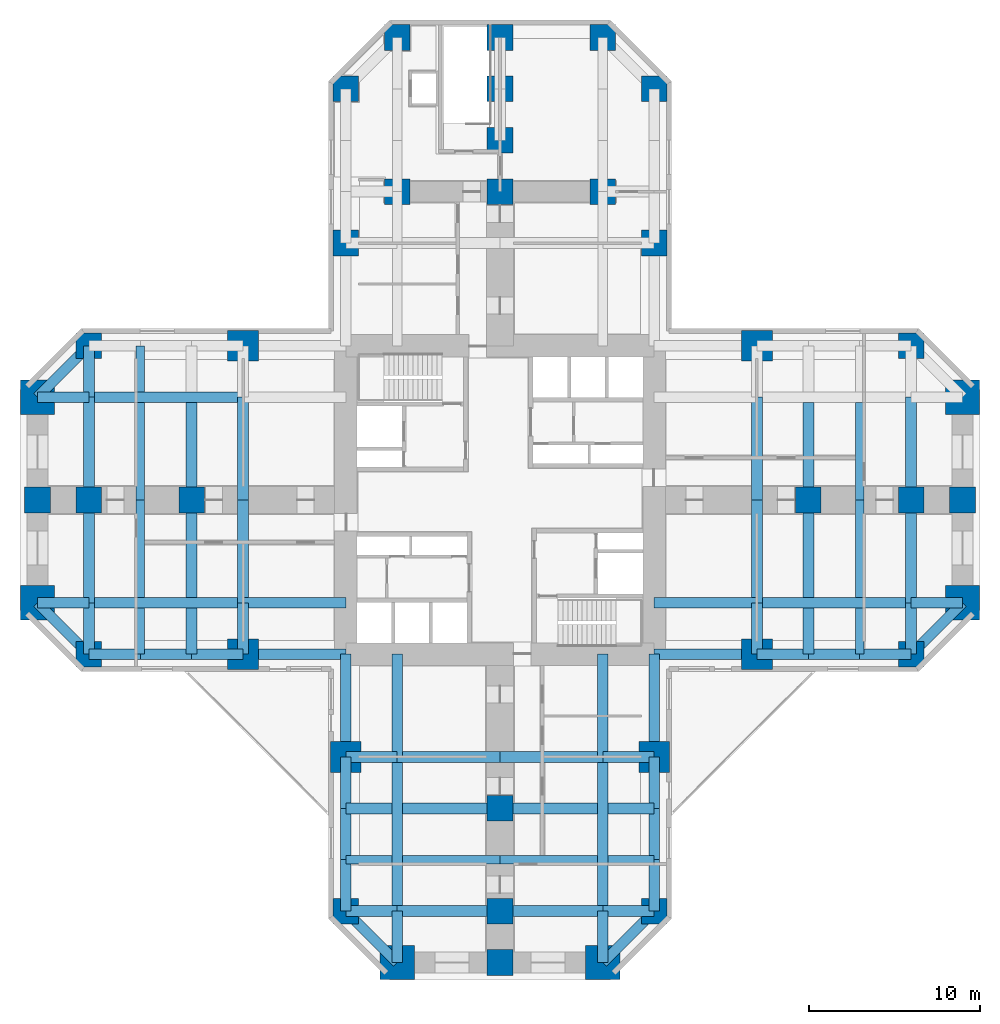
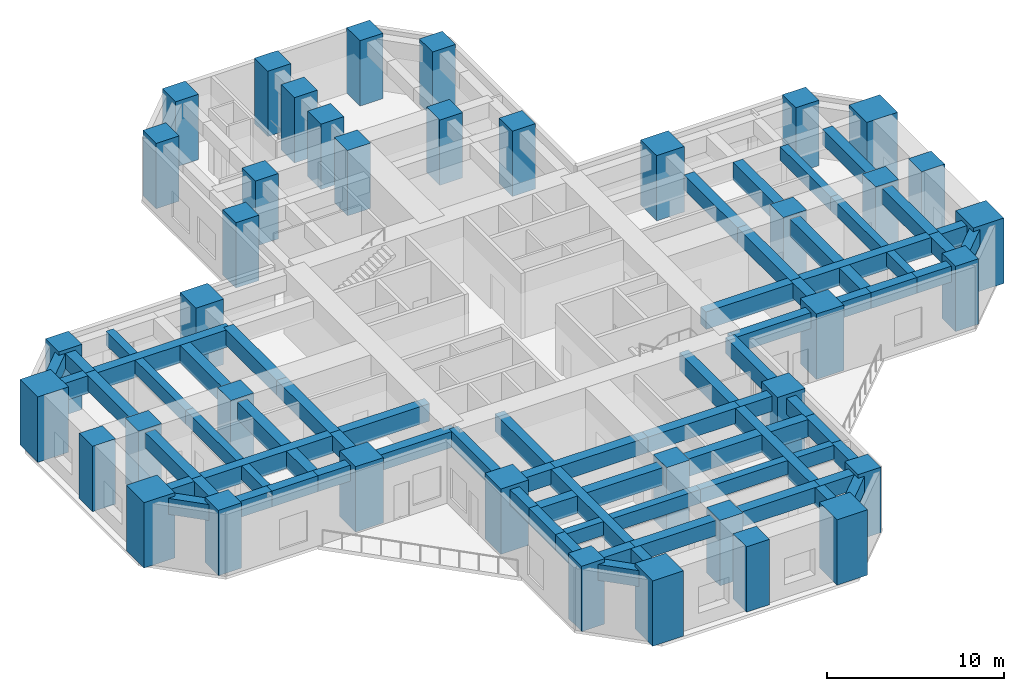
# One storey, part 1 of 8: 77 beams, 39 columns.
"""IFC4 building model written with IfcOpenShell, lengths in metres."""

from ifc_helpers import new_model, si_unit, direction, frame, origin, origin_2d, place, context, subcontext, project, spatial, rectangle, extrude, material, material_profile, profile_set, type_object, element, save


model = new_model("IFC4")

# Units and contexts
model_context = context("Model", 3, precision=1e-05, world=origin(), true_north=direction((0.0, 1.0)))
body_context = subcontext(model_context, "Body", "Model", "MODEL_VIEW")
ifc_project = project(units=[si_unit("LENGTHUNIT", "METRE"), si_unit("AREAUNIT", "SQUARE_METRE"), si_unit("VOLUMEUNIT", "CUBIC_METRE"), si_unit("PLANEANGLEUNIT", "RADIAN"), si_unit("MASSUNIT", "GRAM", prefix="KILO")], contexts=[model_context])

# Site, building, storey
site_placement = place(None, origin())
site = spatial("IfcSite", under=ifc_project, at=site_placement, CompositionType="ELEMENT")
building_placement = place(site_placement, origin())
building = spatial("IfcBuilding", under=site, at=building_placement, Name="Torre Cruceta", CompositionType="ELEMENT")
storey_placement = place(building_placement, frame((0.0, 0.0, 14.0)))
storey = spatial("IfcBuildingStorey", under=building, at=storey_placement, Name="L03", CompositionType="ELEMENT", Elevation=14.0)

# Columns
ifc_material_1 = material(Name="Concrete G60 (fck 60 MPa)", Category="concrete")
ifc_material_profile_1 = material_profile(ifc_material_1, rectangle(XDim=1.5, YDim=1.5, at=origin_2d()), Name="RC 1500X1500")
ifc_profile_set_1 = profile_set([ifc_material_profile_1], Name="Concrete G60 (fck 60 MPa)")
column_type_1 = type_object("IfcColumnType", Name="COLUMN RC 1500X1500", PredefinedType="COLUMN", material=ifc_profile_set_1)
for number, where, z_axis, x_axis, name in (
    (1, (9.0, 15.0, 0.0), (0.0, 0.0, 1.0), (1.0, 0.0, 0.0), "C0 L03 N side"),
    (2, (9.0, 24.0, 0.0), (0.0, 0.0, 1.0), (1.0, 0.0, 0.0), "C0 L03 N chamfer"),
    (3, (-9.0, 15.0, 0.0), (0.0, 0.0, 1.0), (1.0, 0.0, 0.0), "C0 L03 N side"),
    (4, (-9.0, 24.0, 0.0), (0.0, 0.0, 1.0), (1.0, 0.0, 0.0), "C0 L03 N chamfer"),
    (5, (6.0, 27.0, 0.0), (0.0, 0.0, 1.0), (1.0, 0.0, 0.0), "C0 L03 N tip"),
    (6, (0.0, 27.0, 0.0), (0.0, 0.0, 1.0), (1.0, 0.0, 0.0), "C0 L03 N tip"),
    (7, (-6.0, 27.0, 0.0), (0.0, 0.0, 1.0), (1.0, 0.0, 0.0), "C0 L03 N tip"),
    (8, (24.0, -9.0, 0.0), (0.0, 0.0, 1.0), (1.0, 0.0, 0.0), "C0 L03 E chamfer"),
    (9, (24.0, 9.0, 0.0), (0.0, 0.0, 1.0), (1.0, 0.0, 0.0), "C0 L03 E chamfer"),
    (10, (27.0, 0.0, 0.0), (0.0, 0.0, 1.0), (1.0, 0.0, 0.0), "C0 L03 E tip"),
    (11, (-9.0, -24.0, 0.0), (0.0, 0.0, 1.0), (1.0, 0.0, 0.0), "C0 L03 S chamfer"),
    (12, (9.0, -24.0, 0.0), (0.0, 0.0, 1.0), (1.0, 0.0, 0.0), "C0 L03 S chamfer"),
    (13, (0.0, -27.0, 0.0), (0.0, 0.0, 1.0), (1.0, 0.0, 0.0), "C0 L03 S tip"),
    (14, (-24.0, 9.0, 0.0), (0.0, 0.0, 1.0), (1.0, 0.0, 0.0), "C0 L03 W chamfer"),
    (15, (-24.0, -9.0, 0.0), (0.0, 0.0, 1.0), (1.0, 0.0, 0.0), "C0 L03 W chamfer"),
    (16, (-27.0, 0.0, 0.0), (0.0, 0.0, 1.0), (1.0, 0.0, 0.0), "C0 L03 W tip"),
    (17, (6.0, 18.0, 0.0), (0.0, 0.0, 1.0), (1.0, 0.0, 0.0), "C0 L03 N interior"),
    (18, (0.0, 18.0, 0.0), (0.0, 0.0, 1.0), (1.0, 0.0, 0.0), "C0 L03 N interior"),
    (19, (-6.0, 18.0, 0.0), (0.0, 0.0, 1.0), (1.0, 0.0, 0.0), "C0 L03 N interior"),
    (20, (0.0, 21.0, 0.0), (0.0, 0.0, 1.0), (1.0, 0.0, 0.0), "C0 L03 N interior"),
    (21, (0.0, 24.0, 0.0), (0.0, 0.0, 1.0), (1.0, 0.0, 0.0), "C0 L03 N interior"),
    (22, (18.0, 0.0, 0.0), (0.0, 0.0, 1.0), (1.0, 0.0, 0.0), "C0 L03 E interior"),
    (23, (24.0, 0.0, 0.0), (0.0, 0.0, 1.0), (1.0, 0.0, 0.0), "C0 L03 E interior"),
    (24, (0.0, -18.0, 0.0), (0.0, 0.0, 1.0), (1.0, 0.0, 0.0), "C0 L03 S interior"),
    (25, (0.0, -24.0, 0.0), (0.0, 0.0, 1.0), (1.0, 0.0, 0.0), "C0 L03 S interior"),
    (26, (-18.0, 0.0, 0.0), (0.0, 0.0, 1.0), (1.0, 0.0, 0.0), "C0 L03 W interior"),
    (27, (-24.0, 0.0, 0.0), (0.0, 0.0, 1.0), (1.0, 0.0, 0.0), "C0 L03 W interior"),
):
    element("IfcColumn", number, at=place(storey_placement, frame(where, z_axis=z_axis, x_axis=x_axis)), inside=storey, type_object=column_type_1, Name=name, PredefinedType="COLUMN", context=body_context, shape_type="SweptSolid", body=[
        extrude(rectangle(XDim=1.5, YDim=1.5, at=origin_2d()), origin(), (0.0, 0.0, 1.0), 4.5),
    ])
ifc_material_2 = material(Name="Concrete G60 (fck 60 MPa)", Category="concrete")
ifc_material_profile_2 = material_profile(ifc_material_2, rectangle(XDim=1.800048828125, YDim=1.800048828125, at=origin_2d()), Name="RC 1800X1800")
ifc_profile_set_2 = profile_set([ifc_material_profile_2], Name="Concrete G60 (fck 60 MPa)")
column_type_2 = type_object("IfcColumnType", Name="COLUMN RC 1800X1800", PredefinedType="COLUMN", material=ifc_profile_set_2)
for number, where, z_axis, x_axis, name in (
    (28, (15.0, -9.0, 0.0), (0.0, 0.0, 1.0), (1.0, 0.0, 0.0), "CB L03 E side"),
    (29, (15.0, 9.0, 0.0), (0.0, 0.0, 1.0), (1.0, 0.0, 0.0), "CB L03 E side"),
    (30, (-9.0, -15.0, 0.0), (0.0, 0.0, 1.0), (1.0, 0.0, 0.0), "CB L03 S side"),
    (31, (9.0, -15.0, 0.0), (0.0, 0.0, 1.0), (1.0, 0.0, 0.0), "CB L03 S side"),
    (32, (-15.0, 9.0, 0.0), (0.0, 0.0, 1.0), (1.0, 0.0, 0.0), "CB L03 W side"),
    (33, (-15.0, -9.0, 0.0), (0.0, 0.0, 1.0), (1.0, 0.0, 0.0), "CB L03 W side"),
):
    element("IfcColumn", number, at=place(storey_placement, frame(where, z_axis=z_axis, x_axis=x_axis)), inside=storey, type_object=column_type_2, Name=name, PredefinedType="COLUMN", context=body_context, shape_type="SweptSolid", body=[
        extrude(rectangle(XDim=1.800048828125, YDim=1.800048828125, at=origin_2d()), origin(), (0.0, 0.0, 1.0), 4.5),
    ])
ifc_material_3 = material(Name="Concrete G60 (fck 60 MPa)", Category="concrete")
ifc_material_profile_3 = material_profile(ifc_material_3, rectangle(XDim=2.0, YDim=2.0, at=origin_2d()), Name="RC 2000X2000")
ifc_profile_set_3 = profile_set([ifc_material_profile_3], Name="Concrete G60 (fck 60 MPa)")
column_type_3 = type_object("IfcColumnType", Name="COLUMN RC 2000X2000", PredefinedType="COLUMN", material=ifc_profile_set_3)
for number, where, z_axis, x_axis, name in (
    (34, (27.0, -6.0, 0.0), (0.0, 0.0, 1.0), (1.0, 0.0, 0.0), "CA L03 E tip"),
    (35, (27.0, 6.0, 0.0), (0.0, 0.0, 1.0), (1.0, 0.0, 0.0), "CA L03 E tip"),
    (36, (-6.0, -27.0, 0.0), (0.0, 0.0, 1.0), (1.0, 0.0, 0.0), "CA L03 S tip"),
    (37, (6.0, -27.0, 0.0), (0.0, 0.0, 1.0), (1.0, 0.0, 0.0), "CA L03 S tip"),
    (38, (-27.0, 6.0, 0.0), (0.0, 0.0, 1.0), (1.0, 0.0, 0.0), "CA L03 W tip"),
    (39, (-27.0, -6.0, 0.0), (0.0, 0.0, 1.0), (1.0, 0.0, 0.0), "CA L03 W tip"),
):
    element("IfcColumn", number, at=place(storey_placement, frame(where, z_axis=z_axis, x_axis=x_axis)), inside=storey, type_object=column_type_3, Name=name, PredefinedType="COLUMN", context=body_context, shape_type="SweptSolid", body=[
        extrude(rectangle(XDim=2.0, YDim=2.0, at=origin_2d()), origin(), (0.0, 0.0, 1.0), 4.5),
    ])

# Beams
ifc_material_4 = material(Name="Concrete G60 (fck 60 MPa)", Category="concrete")
ifc_material_profile_4 = material_profile(ifc_material_4, rectangle(XDim=0.60009765625, YDim=1.199951171875, at=origin_2d()), Name="RC 600X1200")
ifc_profile_set_4 = profile_set([ifc_material_profile_4], Name="Concrete G60 (fck 60 MPa)")
beam_type_1 = type_object("IfcBeamType", Name="COLUMN LINE BEAM RC 600X1200", PredefinedType="BEAM", material=ifc_profile_set_4)
beam_1_placement = place(storey_placement, frame((9.0, -6.0, 3.64990234375), z_axis=(1.0, 0.0, 0.0), x_axis=(0.0, 1.0, 0.0)))
element("IfcBeam", 40, at=beam_1_placement, inside=storey, type_object=beam_type_1, Name="LB2 L03 E col- 1", PredefinedType="BEAM", context=body_context, shape_type="SweptSolid", body=[
    extrude(rectangle(XDim=0.60009765625, YDim=1.199951171875, at=origin_2d()), origin(), (0.0, 0.0, 1.0), 6.0),
])
beam_2_placement = place(storey_placement, frame((15.0, -6.0, 3.64990234375), z_axis=(1.0, 0.0, 0.0), x_axis=(0.0, 1.0, 0.0)))
element("IfcBeam", 41, at=beam_2_placement, inside=storey, type_object=beam_type_1, Name="LB2 L03 E col- 2", PredefinedType="BEAM", context=body_context, shape_type="SweptSolid", body=[
    extrude(rectangle(XDim=0.60009765625, YDim=1.199951171875, at=origin_2d()), origin(), (0.0, 0.0, 1.0), 9.0),
])
beam_3_placement = place(storey_placement, frame((24.0, -6.0, 3.64990234375), z_axis=(1.0, 0.0, 0.0), x_axis=(0.0, 1.0, 0.0)))
element("IfcBeam", 42, at=beam_3_placement, inside=storey, type_object=beam_type_1, Name="LB2 L03 E col- 5", PredefinedType="BEAM", context=body_context, shape_type="SweptSolid", body=[
    extrude(rectangle(XDim=0.60009765625, YDim=1.199951171875, at=origin_2d()), origin(), (0.0, 0.0, 1.0), 3.0),
])
beam_4_placement = place(storey_placement, frame((-6.0, -9.0, 3.64990234375), z_axis=(0.0, -1.0, 0.0), x_axis=(1.0, 0.0, 0.0)))
element("IfcBeam", 43, at=beam_4_placement, inside=storey, type_object=beam_type_1, Name="LB2 L03 S col- 1", PredefinedType="BEAM", context=body_context, shape_type="SweptSolid", body=[
    extrude(rectangle(XDim=0.60009765625, YDim=1.199951171875, at=origin_2d()), origin(), (0.0, 0.0, 1.0), 6.0),
])
beam_5_placement = place(storey_placement, frame((-6.0, -15.0, 3.64990234375), z_axis=(0.0, -1.0, 0.0), x_axis=(1.0, 0.0, 0.0)))
element("IfcBeam", 44, at=beam_5_placement, inside=storey, type_object=beam_type_1, Name="LB2 L03 S col- 2", PredefinedType="BEAM", context=body_context, shape_type="SweptSolid", body=[
    extrude(rectangle(XDim=0.60009765625, YDim=1.199951171875, at=origin_2d()), origin(), (0.0, 0.0, 1.0), 9.0),
])
beam_6_placement = place(storey_placement, frame((-6.0, -24.0, 3.64990234375), z_axis=(0.0, -1.0, 0.0), x_axis=(1.0, 0.0, 0.0)))
element("IfcBeam", 45, at=beam_6_placement, inside=storey, type_object=beam_type_1, Name="LB2 L03 S col- 5", PredefinedType="BEAM", context=body_context, shape_type="SweptSolid", body=[
    extrude(rectangle(XDim=0.60009765625, YDim=1.199951171875, at=origin_2d()), origin(), (0.0, 0.0, 1.0), 3.0),
])
beam_7_placement = place(storey_placement, frame((6.0, -9.0, 3.64990234375), z_axis=(0.0, -1.0, 0.0), x_axis=(1.0, 0.0, 0.0)))
element("IfcBeam", 46, at=beam_7_placement, inside=storey, type_object=beam_type_1, Name="LB2 L03 S col+ 1", PredefinedType="BEAM", context=body_context, shape_type="SweptSolid", body=[
    extrude(rectangle(XDim=0.60009765625, YDim=1.199951171875, at=origin_2d()), origin(), (0.0, 0.0, 1.0), 6.0),
])
beam_8_placement = place(storey_placement, frame((6.0, -15.0, 3.64990234375), z_axis=(0.0, -1.0, 0.0), x_axis=(1.0, 0.0, 0.0)))
element("IfcBeam", 47, at=beam_8_placement, inside=storey, type_object=beam_type_1, Name="LB2 L03 S col+ 2", PredefinedType="BEAM", context=body_context, shape_type="SweptSolid", body=[
    extrude(rectangle(XDim=0.60009765625, YDim=1.199951171875, at=origin_2d()), origin(), (0.0, 0.0, 1.0), 9.0),
])
beam_9_placement = place(storey_placement, frame((6.0, -24.0, 3.64990234375), z_axis=(0.0, -1.0, 0.0), x_axis=(1.0, 0.0, 0.0)))
element("IfcBeam", 48, at=beam_9_placement, inside=storey, type_object=beam_type_1, Name="LB2 L03 S col+ 5", PredefinedType="BEAM", context=body_context, shape_type="SweptSolid", body=[
    extrude(rectangle(XDim=0.60009765625, YDim=1.199951171875, at=origin_2d()), origin(), (0.0, 0.0, 1.0), 3.0),
])
beam_10_placement = place(storey_placement, frame((-15.0, 6.0, 3.64990234375), z_axis=(-1.0, 0.0, 0.0), x_axis=(0.0, -1.0, 0.0)))
element("IfcBeam", 49, at=beam_10_placement, inside=storey, type_object=beam_type_1, Name="LB2 L03 W col- 2", PredefinedType="BEAM", context=body_context, shape_type="SweptSolid", body=[
    extrude(rectangle(XDim=0.60009765625, YDim=1.199951171875, at=origin_2d()), origin(), (0.0, 0.0, 1.0), 9.0),
])
beam_11_placement = place(storey_placement, frame((-24.0, 6.0, 3.64990234375), z_axis=(-1.0, 0.0, 0.0), x_axis=(0.0, -1.0, 0.0)))
element("IfcBeam", 50, at=beam_11_placement, inside=storey, type_object=beam_type_1, Name="LB2 L03 W col- 5", PredefinedType="BEAM", context=body_context, shape_type="SweptSolid", body=[
    extrude(rectangle(XDim=0.60009765625, YDim=1.199951171875, at=origin_2d()), origin(), (0.0, 0.0, 1.0), 3.0),
])
beam_12_placement = place(storey_placement, frame((-9.0, -6.0, 3.64990234375), z_axis=(-1.0, 0.0, 0.0), x_axis=(0.0, -1.0, 0.0)))
element("IfcBeam", 51, at=beam_12_placement, inside=storey, type_object=beam_type_1, Name="LB2 L03 W col+ 1", PredefinedType="BEAM", context=body_context, shape_type="SweptSolid", body=[
    extrude(rectangle(XDim=0.60009765625, YDim=1.199951171875, at=origin_2d()), origin(), (0.0, 0.0, 1.0), 6.0),
])
beam_13_placement = place(storey_placement, frame((-15.0, -6.0, 3.64990234375), z_axis=(-1.0, 0.0, 0.0), x_axis=(0.0, -1.0, 0.0)))
element("IfcBeam", 52, at=beam_13_placement, inside=storey, type_object=beam_type_1, Name="LB2 L03 W col+ 2", PredefinedType="BEAM", context=body_context, shape_type="SweptSolid", body=[
    extrude(rectangle(XDim=0.60009765625, YDim=1.199951171875, at=origin_2d()), origin(), (0.0, 0.0, 1.0), 9.0),
])
beam_14_placement = place(storey_placement, frame((-24.0, -6.0, 3.64990234375), z_axis=(-1.0, 0.0, 0.0), x_axis=(0.0, -1.0, 0.0)))
element("IfcBeam", 53, at=beam_14_placement, inside=storey, type_object=beam_type_1, Name="LB2 L03 W col+ 5", PredefinedType="BEAM", context=body_context, shape_type="SweptSolid", body=[
    extrude(rectangle(XDim=0.60009765625, YDim=1.199951171875, at=origin_2d()), origin(), (0.0, 0.0, 1.0), 3.0),
])
ifc_material_5 = material(Name="Concrete G60 (fck 60 MPa)", Category="concrete")
ifc_material_profile_5 = material_profile(ifc_material_5, rectangle(XDim=0.64990234375, YDim=1.050048828125, at=origin_2d()), Name="RC 650X1050")
ifc_profile_set_5 = profile_set([ifc_material_profile_5], Name="Concrete G60 (fck 60 MPa)")
beam_type_2 = type_object("IfcBeamType", Name="CROSS BEAM RC 650X1050", PredefinedType="BEAM", material=ifc_profile_set_5)
beam_15_placement = place(storey_placement, frame((15.0, -9.0, 3.72509765625), z_axis=(0.0, 1.0, 0.0), x_axis=(-1.0, 0.0, 0.0)))
element("IfcBeam", 54, at=beam_15_placement, inside=storey, type_object=beam_type_2, Name="GB3 L03 E cross15 1", PredefinedType="BEAM", context=body_context, shape_type="SweptSolid", body=[
    extrude(rectangle(XDim=0.64990234375, YDim=1.050048828125, at=origin_2d()), origin(), (0.0, 0.0, 1.0), 3.0),
])
for number, where, z_axis, x_axis, name in (
    (55, (15.0, -6.0, 3.72509765625), (0.0, 1.0, 0.0), (-1.0, 0.0, 0.0), "GB3 L03 E cross15 2"),
    (56, (15.0, 0.0, 3.72509765625), (0.0, 1.0, 0.0), (-1.0, 0.0, 0.0), "GB3 L03 E cross15 3"),
):
    element("IfcBeam", number, at=place(storey_placement, frame(where, z_axis=z_axis, x_axis=x_axis)), inside=storey, type_object=beam_type_2, Name=name, PredefinedType="BEAM", context=body_context, shape_type="SweptSolid", body=[
        extrude(rectangle(XDim=0.64990234375, YDim=1.050048828125, at=origin_2d()), origin(), (0.0, 0.0, 1.0), 6.0),
    ])
beam_16_placement = place(storey_placement, frame((24.0, -9.0, 3.72509765625), z_axis=(0.0, 1.0, 0.0), x_axis=(-1.0, 0.0, 0.0)))
element("IfcBeam", 57, at=beam_16_placement, inside=storey, type_object=beam_type_2, Name="GB3 L03 E cross24 1", PredefinedType="BEAM", context=body_context, shape_type="SweptSolid", body=[
    extrude(rectangle(XDim=0.64990234375, YDim=1.050048828125, at=origin_2d()), origin(), (0.0, 0.0, 1.0), 3.0),
])
for number, where, z_axis, x_axis, name in (
    (58, (24.0, -6.0, 3.72509765625), (0.0, 1.0, 0.0), (-1.0, 0.0, 0.0), "GB3 L03 E cross24 2"),
    (59, (24.0, 0.0, 3.72509765625), (0.0, 1.0, 0.0), (-1.0, 0.0, 0.0), "GB3 L03 E cross24 3"),
):
    element("IfcBeam", number, at=place(storey_placement, frame(where, z_axis=z_axis, x_axis=x_axis)), inside=storey, type_object=beam_type_2, Name=name, PredefinedType="BEAM", context=body_context, shape_type="SweptSolid", body=[
        extrude(rectangle(XDim=0.64990234375, YDim=1.050048828125, at=origin_2d()), origin(), (0.0, 0.0, 1.0), 6.0),
    ])
beam_17_placement = place(storey_placement, frame((-9.0, -15.0, 3.72509765625), z_axis=(1.0, 0.0, 0.0), x_axis=(0.0, 1.0, 0.0)))
element("IfcBeam", 60, at=beam_17_placement, inside=storey, type_object=beam_type_2, Name="GB3 L03 S cross15 1", PredefinedType="BEAM", context=body_context, shape_type="SweptSolid", body=[
    extrude(rectangle(XDim=0.64990234375, YDim=1.050048828125, at=origin_2d()), origin(), (0.0, 0.0, 1.0), 3.0),
])
for number, where, z_axis, x_axis, name in (
    (61, (-6.0, -15.0, 3.72509765625), (1.0, 0.0, 0.0), (0.0, 1.0, 0.0), "GB3 L03 S cross15 2"),
    (62, (0.0, -15.0, 3.72509765625), (1.0, 0.0, 0.0), (0.0, 1.0, 0.0), "GB3 L03 S cross15 3"),
):
    element("IfcBeam", number, at=place(storey_placement, frame(where, z_axis=z_axis, x_axis=x_axis)), inside=storey, type_object=beam_type_2, Name=name, PredefinedType="BEAM", context=body_context, shape_type="SweptSolid", body=[
        extrude(rectangle(XDim=0.64990234375, YDim=1.050048828125, at=origin_2d()), origin(), (0.0, 0.0, 1.0), 6.0),
    ])
for number, where, z_axis, x_axis, name in (
    (63, (6.0, -15.0, 3.72509765625), (1.0, 0.0, 0.0), (0.0, 1.0, 0.0), "GB3 L03 S cross15 4"),
    (64, (-9.0, -24.0, 3.72509765625), (1.0, 0.0, 0.0), (0.0, 1.0, 0.0), "GB3 L03 S cross24 1"),
):
    element("IfcBeam", number, at=place(storey_placement, frame(where, z_axis=z_axis, x_axis=x_axis)), inside=storey, type_object=beam_type_2, Name=name, PredefinedType="BEAM", context=body_context, shape_type="SweptSolid", body=[
        extrude(rectangle(XDim=0.64990234375, YDim=1.050048828125, at=origin_2d()), origin(), (0.0, 0.0, 1.0), 3.0),
    ])
for number, where, z_axis, x_axis, name in (
    (65, (-6.0, -24.0, 3.72509765625), (1.0, 0.0, 0.0), (0.0, 1.0, 0.0), "GB3 L03 S cross24 2"),
    (66, (0.0, -24.0, 3.72509765625), (1.0, 0.0, 0.0), (0.0, 1.0, 0.0), "GB3 L03 S cross24 3"),
):
    element("IfcBeam", number, at=place(storey_placement, frame(where, z_axis=z_axis, x_axis=x_axis)), inside=storey, type_object=beam_type_2, Name=name, PredefinedType="BEAM", context=body_context, shape_type="SweptSolid", body=[
        extrude(rectangle(XDim=0.64990234375, YDim=1.050048828125, at=origin_2d()), origin(), (0.0, 0.0, 1.0), 6.0),
    ])
beam_18_placement = place(storey_placement, frame((6.0, -24.0, 3.72509765625), z_axis=(1.0, 0.0, 0.0), x_axis=(0.0, 1.0, 0.0)))
element("IfcBeam", 67, at=beam_18_placement, inside=storey, type_object=beam_type_2, Name="GB3 L03 S cross24 4", PredefinedType="BEAM", context=body_context, shape_type="SweptSolid", body=[
    extrude(rectangle(XDim=0.64990234375, YDim=1.050048828125, at=origin_2d()), origin(), (0.0, 0.0, 1.0), 3.0),
])
for number, where, z_axis, x_axis, name in (
    (68, (-15.0, 6.0, 3.72509765625), (0.0, -1.0, 0.0), (1.0, 0.0, 0.0), "GB3 L03 W cross15 2"),
    (69, (-15.0, 0.0, 3.72509765625), (0.0, -1.0, 0.0), (1.0, 0.0, 0.0), "GB3 L03 W cross15 3"),
):
    element("IfcBeam", number, at=place(storey_placement, frame(where, z_axis=z_axis, x_axis=x_axis)), inside=storey, type_object=beam_type_2, Name=name, PredefinedType="BEAM", context=body_context, shape_type="SweptSolid", body=[
        extrude(rectangle(XDim=0.64990234375, YDim=1.050048828125, at=origin_2d()), origin(), (0.0, 0.0, 1.0), 6.0),
    ])
for number, where, z_axis, x_axis, name in (
    (70, (-15.0, -6.0, 3.72509765625), (0.0, -1.0, 0.0), (1.0, 0.0, 0.0), "GB3 L03 W cross15 4"),
    (71, (-24.0, 9.0, 3.72509765625), (0.0, -1.0, 0.0), (1.0, 0.0, 0.0), "GB3 L03 W cross24 1"),
):
    element("IfcBeam", number, at=place(storey_placement, frame(where, z_axis=z_axis, x_axis=x_axis)), inside=storey, type_object=beam_type_2, Name=name, PredefinedType="BEAM", context=body_context, shape_type="SweptSolid", body=[
        extrude(rectangle(XDim=0.64990234375, YDim=1.050048828125, at=origin_2d()), origin(), (0.0, 0.0, 1.0), 3.0),
    ])
for number, where, z_axis, x_axis, name in (
    (72, (-24.0, 6.0, 3.72509765625), (0.0, -1.0, 0.0), (1.0, 0.0, 0.0), "GB3 L03 W cross24 2"),
    (73, (-24.0, 0.0, 3.72509765625), (0.0, -1.0, 0.0), (1.0, 0.0, 0.0), "GB3 L03 W cross24 3"),
):
    element("IfcBeam", number, at=place(storey_placement, frame(where, z_axis=z_axis, x_axis=x_axis)), inside=storey, type_object=beam_type_2, Name=name, PredefinedType="BEAM", context=body_context, shape_type="SweptSolid", body=[
        extrude(rectangle(XDim=0.64990234375, YDim=1.050048828125, at=origin_2d()), origin(), (0.0, 0.0, 1.0), 6.0),
    ])
beam_19_placement = place(storey_placement, frame((-24.0, -6.0, 3.72509765625), z_axis=(0.0, -1.0, 0.0), x_axis=(1.0, 0.0, 0.0)))
element("IfcBeam", 74, at=beam_19_placement, inside=storey, type_object=beam_type_2, Name="GB3 L03 W cross24 4", PredefinedType="BEAM", context=body_context, shape_type="SweptSolid", body=[
    extrude(rectangle(XDim=0.64990234375, YDim=1.050048828125, at=origin_2d()), origin(), (0.0, 0.0, 1.0), 3.0),
])
ifc_material_6 = material(Name="Concrete G60 (fck 60 MPa)", Category="concrete")
ifc_material_profile_6 = material_profile(ifc_material_6, rectangle(XDim=0.64990234375, YDim=1.199951171875, at=origin_2d()), Name="RC 650X1200")
ifc_profile_set_6 = profile_set([ifc_material_profile_6], Name="Concrete G60 (fck 60 MPa)")
beam_type_3 = type_object("IfcBeamType", Name="CROSS BEAM RC 650X1200", PredefinedType="BEAM", material=ifc_profile_set_6)
beam_20_placement = place(storey_placement, frame((18.0, -9.0, 3.64990234375), z_axis=(0.0, 1.0, 0.0), x_axis=(-1.0, 0.0, 0.0)))
element("IfcBeam", 75, at=beam_20_placement, inside=storey, type_object=beam_type_3, Name="GB2 L03 E cross18 1", PredefinedType="BEAM", context=body_context, shape_type="SweptSolid", body=[
    extrude(rectangle(XDim=0.64990234375, YDim=1.199951171875, at=origin_2d()), origin(), (0.0, 0.0, 1.0), 2.699951171875),
])
for number, where, z_axis, x_axis, name in (
    (76, (18.0, -5.699951171875, 3.64990234375), (0.0, 1.0, 0.0), (-1.0, 0.0, 0.0), "GB2 L03 E cross18 2"),
    (77, (18.0, 0.0, 3.64990234375), (0.0, 1.0, 0.0), (-1.0, 0.0, 0.0), "GB2 L03 E cross18 3"),
):
    element("IfcBeam", number, at=place(storey_placement, frame(where, z_axis=z_axis, x_axis=x_axis)), inside=storey, type_object=beam_type_3, Name=name, PredefinedType="BEAM", context=body_context, shape_type="SweptSolid", body=[
        extrude(rectangle(XDim=0.64990234375, YDim=1.199951171875, at=origin_2d()), origin(), (0.0, 0.0, 1.0), 5.699951171875),
    ])
beam_21_placement = place(storey_placement, frame((-9.0, -18.0, 3.64990234375), z_axis=(1.0, 0.0, 0.0), x_axis=(0.0, 1.0, 0.0)))
element("IfcBeam", 78, at=beam_21_placement, inside=storey, type_object=beam_type_3, Name="GB2 L03 S cross18 1", PredefinedType="BEAM", context=body_context, shape_type="SweptSolid", body=[
    extrude(rectangle(XDim=0.64990234375, YDim=1.199951171875, at=origin_2d()), origin(), (0.0, 0.0, 1.0), 2.699951171875),
])
for number, where, z_axis, x_axis, name in (
    (79, (-5.699951171875, -18.0, 3.64990234375), (1.0, 0.0, 0.0), (0.0, 1.0, 0.0), "GB2 L03 S cross18 2"),
    (80, (0.0, -18.0, 3.64990234375), (1.0, 0.0, 0.0), (0.0, 1.0, 0.0), "GB2 L03 S cross18 3"),
):
    element("IfcBeam", number, at=place(storey_placement, frame(where, z_axis=z_axis, x_axis=x_axis)), inside=storey, type_object=beam_type_3, Name=name, PredefinedType="BEAM", context=body_context, shape_type="SweptSolid", body=[
        extrude(rectangle(XDim=0.64990234375, YDim=1.199951171875, at=origin_2d()), origin(), (0.0, 0.0, 1.0), 5.699951171875),
    ])
beam_22_placement = place(storey_placement, frame((6.300048828125, -18.0, 3.64990234375), z_axis=(1.0, 0.0, 0.0), x_axis=(0.0, 1.0, 0.0)))
element("IfcBeam", 81, at=beam_22_placement, inside=storey, type_object=beam_type_3, Name="GB2 L03 S cross18 4", PredefinedType="BEAM", context=body_context, shape_type="SweptSolid", body=[
    extrude(rectangle(XDim=0.64990234375, YDim=1.199951171875, at=origin_2d()), origin(), (0.0, 0.0, 1.0), 2.699951171875),
])
for number, where, z_axis, x_axis, name in (
    (82, (-18.0, 5.699951171875, 3.64990234375), (0.0, -1.0, 0.0), (1.0, 0.0, 0.0), "GB2 L03 W cross18 2"),
    (83, (-18.0, 0.0, 3.64990234375), (0.0, -1.0, 0.0), (1.0, 0.0, 0.0), "GB2 L03 W cross18 3"),
):
    element("IfcBeam", number, at=place(storey_placement, frame(where, z_axis=z_axis, x_axis=x_axis)), inside=storey, type_object=beam_type_3, Name=name, PredefinedType="BEAM", context=body_context, shape_type="SweptSolid", body=[
        extrude(rectangle(XDim=0.64990234375, YDim=1.199951171875, at=origin_2d()), origin(), (0.0, 0.0, 1.0), 5.699951171875),
    ])
beam_23_placement = place(storey_placement, frame((-18.0, -6.300048828125, 3.64990234375), z_axis=(0.0, -1.0, 0.0), x_axis=(1.0, 0.0, 0.0)))
element("IfcBeam", 84, at=beam_23_placement, inside=storey, type_object=beam_type_3, Name="GB2 L03 W cross18 4", PredefinedType="BEAM", context=body_context, shape_type="SweptSolid", body=[
    extrude(rectangle(XDim=0.64990234375, YDim=1.199951171875, at=origin_2d()), origin(), (0.0, 0.0, 1.0), 2.699951171875),
])
ifc_material_7 = material(Name="Concrete G60 (fck 60 MPa)", Category="concrete")
ifc_material_profile_7 = material_profile(ifc_material_7, rectangle(XDim=0.5, YDim=0.949951171875, at=origin_2d()), Name="RC 500X950")
ifc_profile_set_7 = profile_set([ifc_material_profile_7], Name="Concrete G60 (fck 60 MPa)")
beam_type_4 = type_object("IfcBeamType", Name="SECONDARY BEAM RC 500X950", PredefinedType="JOIST", material=ifc_profile_set_7)
beam_24_placement = place(storey_placement, frame((21.0, -9.0, 3.77490234375), z_axis=(0.0, 1.0, 0.0), x_axis=(-1.0, 0.0, 0.0)))
element("IfcBeam", 85, at=beam_24_placement, inside=storey, type_object=beam_type_4, Name="JB2 L03 E sec21 1", PredefinedType="JOIST", context=body_context, shape_type="SweptSolid", body=[
    extrude(rectangle(XDim=0.5, YDim=0.949951171875, at=origin_2d()), origin(), (0.0, 0.0, 1.0), 2.699951171875),
])
for number, where, z_axis, x_axis, name in (
    (86, (21.0, -5.699951171875, 3.77490234375), (0.0, 1.0, 0.0), (-1.0, 0.0, 0.0), "JB2 L03 E sec21 2"),
    (87, (21.0, 0.0, 3.77490234375), (0.0, 1.0, 0.0), (-1.0, 0.0, 0.0), "JB2 L03 E sec21 3"),
):
    element("IfcBeam", number, at=place(storey_placement, frame(where, z_axis=z_axis, x_axis=x_axis)), inside=storey, type_object=beam_type_4, Name=name, PredefinedType="JOIST", context=body_context, shape_type="SweptSolid", body=[
        extrude(rectangle(XDim=0.5, YDim=0.949951171875, at=origin_2d()), origin(), (0.0, 0.0, 1.0), 5.699951171875),
    ])
beam_25_placement = place(storey_placement, frame((-9.0, -21.0, 3.77490234375), z_axis=(1.0, 0.0, 0.0), x_axis=(0.0, 1.0, 0.0)))
element("IfcBeam", 88, at=beam_25_placement, inside=storey, type_object=beam_type_4, Name="JB2 L03 S sec21 1", PredefinedType="JOIST", context=body_context, shape_type="SweptSolid", body=[
    extrude(rectangle(XDim=0.5, YDim=0.949951171875, at=origin_2d()), origin(), (0.0, 0.0, 1.0), 2.699951171875),
])
for number, where, z_axis, x_axis, name in (
    (89, (-5.699951171875, -21.0, 3.77490234375), (1.0, 0.0, 0.0), (0.0, 1.0, 0.0), "JB2 L03 S sec21 2"),
    (90, (0.0, -21.0, 3.77490234375), (1.0, 0.0, 0.0), (0.0, 1.0, 0.0), "JB2 L03 S sec21 3"),
):
    element("IfcBeam", number, at=place(storey_placement, frame(where, z_axis=z_axis, x_axis=x_axis)), inside=storey, type_object=beam_type_4, Name=name, PredefinedType="JOIST", context=body_context, shape_type="SweptSolid", body=[
        extrude(rectangle(XDim=0.5, YDim=0.949951171875, at=origin_2d()), origin(), (0.0, 0.0, 1.0), 5.699951171875),
    ])
for number, where, z_axis, x_axis, name in (
    (91, (6.300048828125, -21.0, 3.77490234375), (1.0, 0.0, 0.0), (0.0, 1.0, 0.0), "JB2 L03 S sec21 4"),
    (92, (-21.0, 9.0, 3.77490234375), (0.0, -1.0, 0.0), (1.0, 0.0, 0.0), "JB2 L03 W sec21 1"),
):
    element("IfcBeam", number, at=place(storey_placement, frame(where, z_axis=z_axis, x_axis=x_axis)), inside=storey, type_object=beam_type_4, Name=name, PredefinedType="JOIST", context=body_context, shape_type="SweptSolid", body=[
        extrude(rectangle(XDim=0.5, YDim=0.949951171875, at=origin_2d()), origin(), (0.0, 0.0, 1.0), 2.699951171875),
    ])
for number, where, z_axis, x_axis, name in (
    (93, (-21.0, 5.699951171875, 3.77490234375), (0.0, -1.0, 0.0), (1.0, 0.0, 0.0), "JB2 L03 W sec21 2"),
    (94, (-21.0, 0.0, 3.77490234375), (0.0, -1.0, 0.0), (1.0, 0.0, 0.0), "JB2 L03 W sec21 3"),
):
    element("IfcBeam", number, at=place(storey_placement, frame(where, z_axis=z_axis, x_axis=x_axis)), inside=storey, type_object=beam_type_4, Name=name, PredefinedType="JOIST", context=body_context, shape_type="SweptSolid", body=[
        extrude(rectangle(XDim=0.5, YDim=0.949951171875, at=origin_2d()), origin(), (0.0, 0.0, 1.0), 5.699951171875),
    ])
beam_26_placement = place(storey_placement, frame((-21.0, -6.300048828125, 3.77490234375), z_axis=(0.0, -1.0, 0.0), x_axis=(1.0, 0.0, 0.0)))
element("IfcBeam", 95, at=beam_26_placement, inside=storey, type_object=beam_type_4, Name="JB2 L03 W sec21 4", PredefinedType="JOIST", context=body_context, shape_type="SweptSolid", body=[
    extrude(rectangle(XDim=0.5, YDim=0.949951171875, at=origin_2d()), origin(), (0.0, 0.0, 1.0), 2.699951171875),
])
ifc_material_8 = material(Name="Concrete G60 (fck 60 MPa)", Category="concrete")
ifc_material_profile_8 = material_profile(ifc_material_8, rectangle(XDim=0.60009765625, YDim=1.10009765625, at=origin_2d()), Name="RC 600X1100")
ifc_profile_set_8 = profile_set([ifc_material_profile_8], Name="Concrete G60 (fck 60 MPa)")
beam_type_5 = type_object("IfcBeamType", Name="SPANDREL BEAM RC 600X1100", PredefinedType="SPANDREL", material=ifc_profile_set_8)
beam_27_placement = place(storey_placement, frame((9.0, -9.0, 3.699951171875), z_axis=(1.0, 0.0, 0.0), x_axis=(0.0, 1.0, 0.0)))
element("IfcBeam", 96, at=beam_27_placement, inside=storey, type_object=beam_type_5, Name="SB2 L03 E side- 1", PredefinedType="SPANDREL", context=body_context, shape_type="SweptSolid", body=[
    extrude(rectangle(XDim=0.60009765625, YDim=1.10009765625, at=origin_2d()), origin(), (0.0, 0.0, 1.0), 6.0),
])
for number, where, z_axis, x_axis, name in (
    (97, (15.0, -9.0, 3.699951171875), (1.0, 0.0, 0.0), (0.0, 1.0, 0.0), "SB2 L03 E side- 2"),
    (98, (18.0, -9.0, 3.699951171875), (1.0, 0.0, 0.0), (0.0, 1.0, 0.0), "SB2 L03 E side- 3"),
    (99, (21.0, -9.0, 3.699951171875), (1.0, 0.0, 0.0), (0.0, 1.0, 0.0), "SB2 L03 E side- 4"),
):
    element("IfcBeam", number, at=place(storey_placement, frame(where, z_axis=z_axis, x_axis=x_axis)), inside=storey, type_object=beam_type_5, Name=name, PredefinedType="SPANDREL", context=body_context, shape_type="SweptSolid", body=[
        extrude(rectangle(XDim=0.60009765625, YDim=1.10009765625, at=origin_2d()), origin(), (0.0, 0.0, 1.0), 3.0),
    ])
beam_28_placement = place(storey_placement, frame((24.0, -9.0, 3.699951171875), z_axis=(0.707106781187, 0.707106781187, 0.0), x_axis=(-0.707106781187, 0.707106781187, 0.0)))
element("IfcBeam", 100, at=beam_28_placement, inside=storey, type_object=beam_type_5, Name="SB2 L03 E side- 5", PredefinedType="SPANDREL", context=body_context, shape_type="SweptSolid", body=[
    extrude(rectangle(XDim=0.60009765625, YDim=1.10009765625, at=origin_2d()), origin(), (0.0, 0.0, 1.0), 4.24267578125),
])
beam_29_placement = place(storey_placement, frame((-9.0, -9.0, 3.699951171875), z_axis=(0.0, -1.0, 0.0), x_axis=(1.0, 0.0, 0.0)))
element("IfcBeam", 101, at=beam_29_placement, inside=storey, type_object=beam_type_5, Name="SB2 L03 S side- 1", PredefinedType="SPANDREL", context=body_context, shape_type="SweptSolid", body=[
    extrude(rectangle(XDim=0.60009765625, YDim=1.10009765625, at=origin_2d()), origin(), (0.0, 0.0, 1.0), 6.0),
])
for number, where, z_axis, x_axis, name in (
    (102, (-9.0, -15.0, 3.699951171875), (0.0, -1.0, 0.0), (1.0, 0.0, 0.0), "SB2 L03 S side- 2"),
    (103, (-9.0, -18.0, 3.699951171875), (0.0, -1.0, 0.0), (1.0, 0.0, 0.0), "SB2 L03 S side- 3"),
    (104, (-9.0, -21.0, 3.699951171875), (0.0, -1.0, 0.0), (1.0, 0.0, 0.0), "SB2 L03 S side- 4"),
):
    element("IfcBeam", number, at=place(storey_placement, frame(where, z_axis=z_axis, x_axis=x_axis)), inside=storey, type_object=beam_type_5, Name=name, PredefinedType="SPANDREL", context=body_context, shape_type="SweptSolid", body=[
        extrude(rectangle(XDim=0.60009765625, YDim=1.10009765625, at=origin_2d()), origin(), (0.0, 0.0, 1.0), 3.0),
    ])
beam_30_placement = place(storey_placement, frame((-9.0, -24.0, 3.699951171875), z_axis=(0.707106781187, -0.707106781187, 0.0), x_axis=(0.707106781187, 0.707106781187, 0.0)))
element("IfcBeam", 105, at=beam_30_placement, inside=storey, type_object=beam_type_5, Name="SB2 L03 S side- 5", PredefinedType="SPANDREL", context=body_context, shape_type="SweptSolid", body=[
    extrude(rectangle(XDim=0.60009765625, YDim=1.10009765625, at=origin_2d()), origin(), (0.0, 0.0, 1.0), 4.24267578125),
])
beam_31_placement = place(storey_placement, frame((9.0, -9.0, 3.699951171875), z_axis=(0.0, -1.0, 0.0), x_axis=(1.0, 0.0, 0.0)))
element("IfcBeam", 106, at=beam_31_placement, inside=storey, type_object=beam_type_5, Name="SB2 L03 S side+ 1", PredefinedType="SPANDREL", context=body_context, shape_type="SweptSolid", body=[
    extrude(rectangle(XDim=0.60009765625, YDim=1.10009765625, at=origin_2d()), origin(), (0.0, 0.0, 1.0), 6.0),
])
for number, where, z_axis, x_axis, name in (
    (107, (9.0, -15.0, 3.699951171875), (0.0, -1.0, 0.0), (1.0, 0.0, 0.0), "SB2 L03 S side+ 2"),
    (108, (9.0, -18.0, 3.699951171875), (0.0, -1.0, 0.0), (1.0, 0.0, 0.0), "SB2 L03 S side+ 3"),
    (109, (9.0, -21.0, 3.699951171875), (0.0, -1.0, 0.0), (1.0, 0.0, 0.0), "SB2 L03 S side+ 4"),
):
    element("IfcBeam", number, at=place(storey_placement, frame(where, z_axis=z_axis, x_axis=x_axis)), inside=storey, type_object=beam_type_5, Name=name, PredefinedType="SPANDREL", context=body_context, shape_type="SweptSolid", body=[
        extrude(rectangle(XDim=0.60009765625, YDim=1.10009765625, at=origin_2d()), origin(), (0.0, 0.0, 1.0), 3.0),
    ])
for number, where, z_axis, x_axis, name in (
    (110, (9.0, -24.0, 3.699951171875), (-0.707106781187, -0.707106781187, 0.0), (0.707106781187, -0.707106781187, 0.0), "SB2 L03 S side+ 5"),
    (111, (-24.0, 9.0, 3.699951171875), (-0.707106781187, -0.707106781187, 0.0), (0.707106781187, -0.707106781187, 0.0), "SB2 L03 W side- 5"),
):
    element("IfcBeam", number, at=place(storey_placement, frame(where, z_axis=z_axis, x_axis=x_axis)), inside=storey, type_object=beam_type_5, Name=name, PredefinedType="SPANDREL", context=body_context, shape_type="SweptSolid", body=[
        extrude(rectangle(XDim=0.60009765625, YDim=1.10009765625, at=origin_2d()), origin(), (0.0, 0.0, 1.0), 4.24267578125),
    ])
beam_32_placement = place(storey_placement, frame((-9.0, -9.0, 3.699951171875), z_axis=(-1.0, 0.0, 0.0), x_axis=(0.0, -1.0, 0.0)))
element("IfcBeam", 112, at=beam_32_placement, inside=storey, type_object=beam_type_5, Name="SB2 L03 W side+ 1", PredefinedType="SPANDREL", context=body_context, shape_type="SweptSolid", body=[
    extrude(rectangle(XDim=0.60009765625, YDim=1.10009765625, at=origin_2d()), origin(), (0.0, 0.0, 1.0), 6.0),
])
for number, where, z_axis, x_axis, name in (
    (113, (-15.0, -9.0, 3.699951171875), (-1.0, 0.0, 0.0), (0.0, -1.0, 0.0), "SB2 L03 W side+ 2"),
    (114, (-18.0, -9.0, 3.699951171875), (-1.0, 0.0, 0.0), (0.0, -1.0, 0.0), "SB2 L03 W side+ 3"),
    (115, (-21.0, -9.0, 3.699951171875), (-1.0, 0.0, 0.0), (0.0, -1.0, 0.0), "SB2 L03 W side+ 4"),
):
    element("IfcBeam", number, at=place(storey_placement, frame(where, z_axis=z_axis, x_axis=x_axis)), inside=storey, type_object=beam_type_5, Name=name, PredefinedType="SPANDREL", context=body_context, shape_type="SweptSolid", body=[
        extrude(rectangle(XDim=0.60009765625, YDim=1.10009765625, at=origin_2d()), origin(), (0.0, 0.0, 1.0), 3.0),
    ])
beam_33_placement = place(storey_placement, frame((-24.0, -9.0, 3.699951171875), z_axis=(-0.707106781187, 0.707106781187, 0.0), x_axis=(-0.707106781187, -0.707106781187, 0.0)))
element("IfcBeam", 116, at=beam_33_placement, inside=storey, type_object=beam_type_5, Name="SB2 L03 W side+ 5", PredefinedType="SPANDREL", context=body_context, shape_type="SweptSolid", body=[
    extrude(rectangle(XDim=0.60009765625, YDim=1.10009765625, at=origin_2d()), origin(), (0.0, 0.0, 1.0), 4.24267578125),
])

save(model, "model.ifc")
